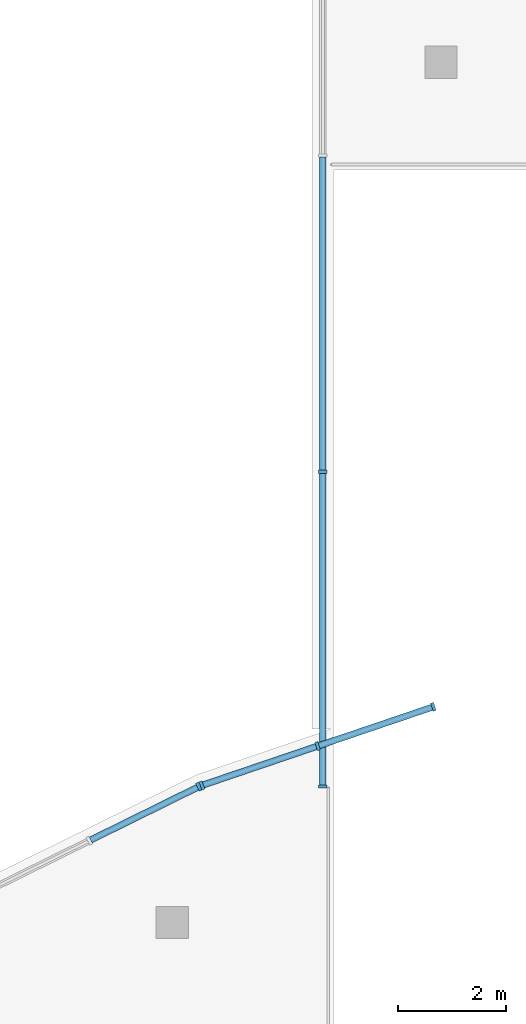
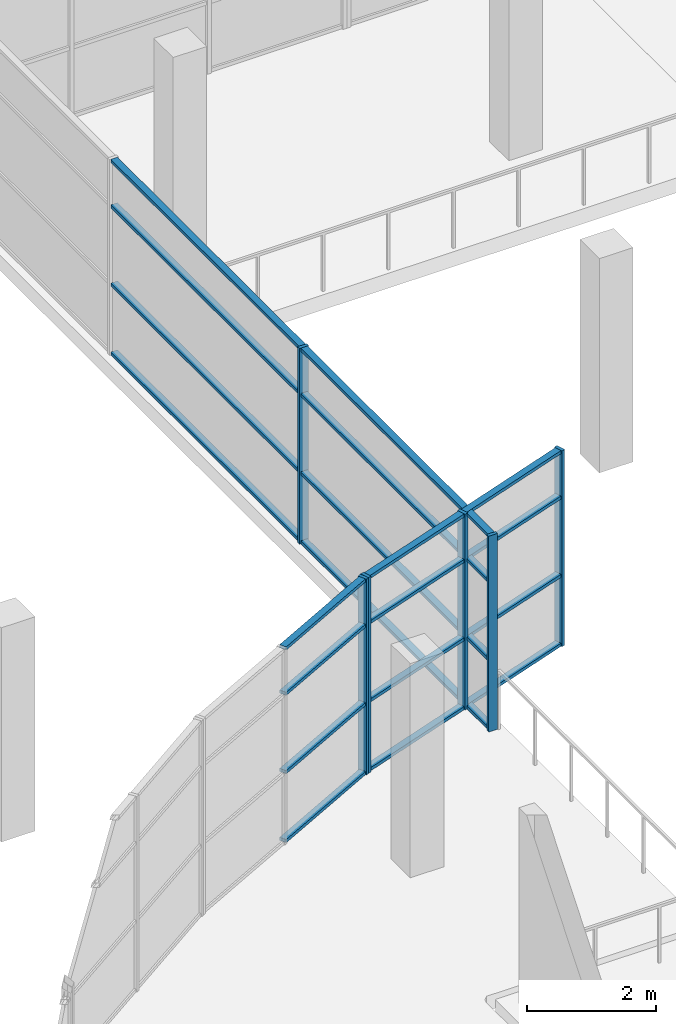
# One storey, part 32 of 87: 26 members, 3 elements without a shape of their own.
"""IFC4 building model written with IfcOpenShell, lengths in metres."""

from ifc_helpers import new_model, si_unit, direction, frame, origin, origin_2d, place, context, subcontext, project, spatial, rectangle, extrude, material, material_profile, profile_set, type_object, element, aggregate, save


model = new_model("IFC4")

# Units and contexts
model_context = context("Model", 3, precision=1e-05, world=origin(), true_north=direction((0.0, 1.0)))
body_context = subcontext(model_context, "Body", "Model", "MODEL_VIEW")
ifc_project = project(units=[si_unit("LENGTHUNIT", "METRE"), si_unit("AREAUNIT", "SQUARE_METRE"), si_unit("VOLUMEUNIT", "CUBIC_METRE"), si_unit("PLANEANGLEUNIT", "RADIAN"), si_unit("MASSUNIT", "GRAM", prefix="KILO")], contexts=[model_context])

# Site, building, storey
site_placement = place(None, origin())
site = spatial("IfcSite", under=ifc_project, at=site_placement, CompositionType="ELEMENT")
building_placement = place(site_placement, origin())
building = spatial("IfcBuilding", under=site, at=building_placement, Name="Saryqyr Civic Hall", CompositionType="ELEMENT")
storey_placement = place(building_placement, frame((0.0, 0.0, 5.10009765625)))
storey = spatial("IfcBuildingStorey", under=building, at=storey_placement, Name="L01", CompositionType="ELEMENT", Elevation=5.10009765625)

# Curtain wall, members
ifc_material_1 = material(Name="Anodised aluminium and triple low-E glass", Category="aluminium")
curtain_wall_type_1 = type_object("IfcCurtainWallType", Name="ENV-CW-STD-72", PredefinedType="NOTDEFINED", material=ifc_material_1)
curtain_wall_1_placement = place(storey_placement, origin())
curtain_wall_1 = element("IfcCurtainWall", 1, at=curtain_wall_1_placement, inside=storey, type_object=curtain_wall_type_1, Name="Curtain wall V2-VESTFLK-NW-L01", PredefinedType="NOTDEFINED")
ifc_material_2 = material(Name="Anodised aluminium", Category="aluminium")
ifc_material_profile_1 = material_profile(ifc_material_2, rectangle(XDim=0.06005859375, YDim=0.159912109375, at=origin_2d()), Name="ALU MULLION 60x160")
ifc_profile_set_1 = profile_set([ifc_material_profile_1], Name="Anodised aluminium")
member_type_1 = type_object("IfcMemberType", Name="ENV-CW-MUL-180", PredefinedType="MULLION", material=ifc_profile_set_1)
member_1_placement = place(storey_placement, frame((45.800048828125, 116.530029296875, 0.0), z_axis=(0.0, 0.0, 1.0), x_axis=(0.0, 1.0, 0.0)))
member_1 = element("IfcMember", 2, at=member_1_placement, type_object=member_type_1, Name="CW-72 mullion 1", PredefinedType="MULLION", context=body_context, shape_type="SweptSolid", body=[
    extrude(rectangle(XDim=0.06005859375, YDim=0.159912109375, at=origin_2d()), origin(), (0.0, 0.0, 1.0), 3.699951171875),
])
member_2_placement = place(storey_placement, frame((45.800048828125, 122.38330078125, 0.0), z_axis=(0.0, 0.0, 1.0), x_axis=(0.0, 1.0, 0.0)))
member_2 = element("IfcMember", 3, at=member_2_placement, type_object=member_type_1, Name="CW-72 mullion 2", PredefinedType="MULLION", context=body_context, shape_type="SweptSolid", body=[
    extrude(rectangle(XDim=0.06005859375, YDim=0.159912109375, at=origin_2d()), origin(), (0.0, 0.0, 1.0), 3.699951171875),
])

curtain_wall_type_2 = type_object("IfcCurtainWallType", Name="ENV-CW-STD-74", PredefinedType="NOTDEFINED", material=ifc_material_1)
curtain_wall_2_placement = place(storey_placement, origin())
curtain_wall_2 = element("IfcCurtainWall", 4, at=curtain_wall_2_placement, inside=storey, type_object=curtain_wall_type_2, Name="Curtain wall V2-PERIM-CW-L01-14", PredefinedType="NOTDEFINED")
member_3_placement = place(storey_placement, frame((43.55029296875, 116.548583984375, 0.0), z_axis=(0.0, 0.0, 1.0), x_axis=(0.946928094828, 0.321445459178, 0.0)))
member_3 = element("IfcMember", 5, at=member_3_placement, type_object=member_type_1, Name="CW-74 mullion 1", PredefinedType="MULLION", context=body_context, shape_type="SweptSolid", body=[
    extrude(rectangle(XDim=0.06005859375, YDim=0.159912109375, at=origin_2d()), origin(), (0.0, 0.0, 1.0), 3.699951171875),
])
member_4_placement = place(storey_placement, frame((45.703125, 117.279541015625, 0.0), z_axis=(0.0, 0.0, 1.0), x_axis=(0.946928094828, 0.321445459178, 0.0)))
member_4 = element("IfcMember", 6, at=member_4_placement, type_object=member_type_1, Name="CW-74 mullion 2", PredefinedType="MULLION", context=body_context, shape_type="SweptSolid", body=[
    extrude(rectangle(XDim=0.06005859375, YDim=0.159912109375, at=origin_2d()), origin(), (0.0, 0.0, 1.0), 3.699951171875),
])
member_5_placement = place(storey_placement, frame((47.85595703125, 118.01025390625, 0.0), z_axis=(0.0, 0.0, 1.0), x_axis=(0.946928094828, 0.321445459178, 0.0)))
member_5 = element("IfcMember", 7, at=member_5_placement, type_object=member_type_1, Name="CW-74 mullion 3", PredefinedType="MULLION", context=body_context, shape_type="SweptSolid", body=[
    extrude(rectangle(XDim=0.06005859375, YDim=0.159912109375, at=origin_2d()), origin(), (0.0, 0.0, 1.0), 3.699951171875),
])

# Curtain wall, member
curtain_wall_3_placement = place(storey_placement, origin())
curtain_wall_3 = element("IfcCurtainWall", 8, at=curtain_wall_3_placement, inside=storey, type_object=curtain_wall_type_2, Name="Curtain wall V2-PERIM-CW-L01-15", PredefinedType="NOTDEFINED")
member_6_placement = place(storey_placement, frame((43.494873046875, 116.525634765625, 0.0), z_axis=(0.0, 0.0, 1.0), x_axis=(0.896875116746, 0.442283873729, 0.0)))
member_6 = element("IfcMember", 9, at=member_6_placement, type_object=member_type_1, Name="CW-74 mullion 3", PredefinedType="MULLION", context=body_context, shape_type="SweptSolid", body=[
    extrude(rectangle(XDim=0.06005859375, YDim=0.159912109375, at=origin_2d()), origin(), (0.0, 0.0, 1.0), 3.699951171875),
])

# Member
ifc_material_profile_2 = material_profile(ifc_material_2, rectangle(XDim=0.1201171875, YDim=0.06005859375, at=origin_2d()), Name="ALU TRANSOM 120x60")
ifc_profile_set_2 = profile_set([ifc_material_profile_2], Name="Anodised aluminium")
member_type_2 = type_object("IfcMemberType", Name="ENV-CW-TRN-150", PredefinedType="USERDEFINED", material=ifc_profile_set_2)
member_7_placement = place(storey_placement, frame((45.800048828125, 116.56005859375, 0.02978515625), z_axis=(0.0, 1.0, 0.0), x_axis=(-1.0, 0.0, 0.0)))
member_7 = element("IfcMember", 10, at=member_7_placement, type_object=member_type_2, Name="CW-72 transom 1.1", ObjectType="TRANSOM", PredefinedType="USERDEFINED", context=body_context, shape_type="SweptSolid", body=[
    extrude(rectangle(XDim=0.1201171875, YDim=0.06005859375, at=origin_2d()), origin(), (0.0, 0.0, 1.0), 5.793212890625),
])

member_8_placement = place(storey_placement, frame((45.800048828125, 116.56005859375, 1.331787109375), z_axis=(0.0, 1.0, 0.0), x_axis=(-1.0, 0.0, 0.0)))
member_8 = element("IfcMember", 11, at=member_8_placement, type_object=member_type_2, Name="CW-72 transom 1.2", ObjectType="TRANSOM", PredefinedType="USERDEFINED", context=body_context, shape_type="SweptSolid", body=[
    extrude(rectangle(XDim=0.1201171875, YDim=0.06005859375, at=origin_2d()), origin(), (0.0, 0.0, 1.0), 5.793212890625),
])

member_9_placement = place(storey_placement, frame((45.800048828125, 116.56005859375, 2.81201171875), z_axis=(0.0, 1.0, 0.0), x_axis=(-1.0, 0.0, 0.0)))
member_9 = element("IfcMember", 12, at=member_9_placement, type_object=member_type_2, Name="CW-72 transom 1.3", ObjectType="TRANSOM", PredefinedType="USERDEFINED", context=body_context, shape_type="SweptSolid", body=[
    extrude(rectangle(XDim=0.1201171875, YDim=0.06005859375, at=origin_2d()), origin(), (0.0, 0.0, 1.0), 5.793212890625),
])

member_10_placement = place(storey_placement, frame((45.800048828125, 116.56005859375, 3.669921875), z_axis=(0.0, 1.0, 0.0), x_axis=(-1.0, 0.0, 0.0)))
member_10 = element("IfcMember", 13, at=member_10_placement, type_object=member_type_2, Name="CW-72 transom 1.4", ObjectType="TRANSOM", PredefinedType="USERDEFINED", context=body_context, shape_type="SweptSolid", body=[
    extrude(rectangle(XDim=0.1201171875, YDim=0.06005859375, at=origin_2d()), origin(), (0.0, 0.0, 1.0), 5.793212890625),
])

member_11_placement = place(storey_placement, frame((45.800048828125, 122.413330078125, 0.02978515625), z_axis=(0.0, 1.0, 0.0), x_axis=(-1.0, 0.0, 0.0)))
member_11 = element("IfcMember", 14, at=member_11_placement, type_object=member_type_2, Name="CW-72 transom 2.1", ObjectType="TRANSOM", PredefinedType="USERDEFINED", context=body_context, shape_type="SweptSolid", body=[
    extrude(rectangle(XDim=0.1201171875, YDim=0.06005859375, at=origin_2d()), origin(), (0.0, 0.0, 1.0), 5.8232421875),
])

member_12_placement = place(storey_placement, frame((45.800048828125, 122.413330078125, 1.331787109375), z_axis=(0.0, 1.0, 0.0), x_axis=(-1.0, 0.0, 0.0)))
member_12 = element("IfcMember", 15, at=member_12_placement, type_object=member_type_2, Name="CW-72 transom 2.2", ObjectType="TRANSOM", PredefinedType="USERDEFINED", context=body_context, shape_type="SweptSolid", body=[
    extrude(rectangle(XDim=0.1201171875, YDim=0.06005859375, at=origin_2d()), origin(), (0.0, 0.0, 1.0), 5.8232421875),
])

member_13_placement = place(storey_placement, frame((45.800048828125, 122.413330078125, 2.81201171875), z_axis=(0.0, 1.0, 0.0), x_axis=(-1.0, 0.0, 0.0)))
member_13 = element("IfcMember", 16, at=member_13_placement, type_object=member_type_2, Name="CW-72 transom 2.3", ObjectType="TRANSOM", PredefinedType="USERDEFINED", context=body_context, shape_type="SweptSolid", body=[
    extrude(rectangle(XDim=0.1201171875, YDim=0.06005859375, at=origin_2d()), origin(), (0.0, 0.0, 1.0), 5.8232421875),
])

member_14_placement = place(storey_placement, frame((45.800048828125, 122.413330078125, 3.669921875), z_axis=(0.0, 1.0, 0.0), x_axis=(-1.0, 0.0, 0.0)))
member_14 = element("IfcMember", 17, at=member_14_placement, type_object=member_type_2, Name="CW-72 transom 2.4", ObjectType="TRANSOM", PredefinedType="USERDEFINED", context=body_context, shape_type="SweptSolid", body=[
    extrude(rectangle(XDim=0.1201171875, YDim=0.06005859375, at=origin_2d()), origin(), (0.0, 0.0, 1.0), 5.8232421875),
])

aggregate(curtain_wall_1, [member_1, member_2, member_7, member_8, member_9, member_10, member_11, member_12, member_13, member_14])

member_15_placement = place(storey_placement, frame((43.57861328125, 116.558349609375, 0.02978515625), z_axis=(0.946948734697, 0.321384650933, 0.0), x_axis=(-0.321384650933, 0.946948734697, 0.0)))
member_15 = element("IfcMember", 18, at=member_15_placement, type_object=member_type_2, Name="CW-74 transom 1.1", ObjectType="TRANSOM", PredefinedType="USERDEFINED", context=body_context, shape_type="SweptSolid", body=[
    extrude(rectangle(XDim=0.1201171875, YDim=0.06005859375, at=origin_2d()), origin(), (0.0, 0.0, 1.0), 2.213623046875),
])

member_16_placement = place(storey_placement, frame((43.57861328125, 116.558349609375, 1.331787109375), z_axis=(0.946948734697, 0.321384650933, 0.0), x_axis=(-0.321384650933, 0.946948734697, 0.0)))
member_16 = element("IfcMember", 19, at=member_16_placement, type_object=member_type_2, Name="CW-74 transom 1.2", ObjectType="TRANSOM", PredefinedType="USERDEFINED", context=body_context, shape_type="SweptSolid", body=[
    extrude(rectangle(XDim=0.1201171875, YDim=0.06005859375, at=origin_2d()), origin(), (0.0, 0.0, 1.0), 2.213623046875),
])

member_17_placement = place(storey_placement, frame((43.57861328125, 116.558349609375, 2.81201171875), z_axis=(0.946948734697, 0.321384650933, 0.0), x_axis=(-0.321384650933, 0.946948734697, 0.0)))
member_17 = element("IfcMember", 20, at=member_17_placement, type_object=member_type_2, Name="CW-74 transom 1.3", ObjectType="TRANSOM", PredefinedType="USERDEFINED", context=body_context, shape_type="SweptSolid", body=[
    extrude(rectangle(XDim=0.1201171875, YDim=0.06005859375, at=origin_2d()), origin(), (0.0, 0.0, 1.0), 2.213623046875),
])

member_18_placement = place(storey_placement, frame((43.57861328125, 116.558349609375, 3.669921875), z_axis=(0.946948734697, 0.321384650933, 0.0), x_axis=(-0.321384650933, 0.946948734697, 0.0)))
member_18 = element("IfcMember", 21, at=member_18_placement, type_object=member_type_2, Name="CW-74 transom 1.4", ObjectType="TRANSOM", PredefinedType="USERDEFINED", context=body_context, shape_type="SweptSolid", body=[
    extrude(rectangle(XDim=0.1201171875, YDim=0.06005859375, at=origin_2d()), origin(), (0.0, 0.0, 1.0), 2.213623046875),
])

member_19_placement = place(storey_placement, frame((45.7314453125, 117.2890625, 0.02978515625), z_axis=(0.946915165682, 0.321483543904, 0.0), x_axis=(-0.321483543904, 0.946915165682, 0.0)))
member_19 = element("IfcMember", 22, at=member_19_placement, type_object=member_type_2, Name="CW-74 transom 2.1", ObjectType="TRANSOM", PredefinedType="USERDEFINED", context=body_context, shape_type="SweptSolid", body=[
    extrude(rectangle(XDim=0.1201171875, YDim=0.06005859375, at=origin_2d()), origin(), (0.0, 0.0, 1.0), 2.213623046875),
])

member_20_placement = place(storey_placement, frame((45.7314453125, 117.2890625, 1.331787109375), z_axis=(0.946915165682, 0.321483543904, 0.0), x_axis=(-0.321483543904, 0.946915165682, 0.0)))
member_20 = element("IfcMember", 23, at=member_20_placement, type_object=member_type_2, Name="CW-74 transom 2.2", ObjectType="TRANSOM", PredefinedType="USERDEFINED", context=body_context, shape_type="SweptSolid", body=[
    extrude(rectangle(XDim=0.1201171875, YDim=0.06005859375, at=origin_2d()), origin(), (0.0, 0.0, 1.0), 2.213623046875),
])

member_21_placement = place(storey_placement, frame((45.7314453125, 117.2890625, 2.81201171875), z_axis=(0.946915165682, 0.321483543904, 0.0), x_axis=(-0.321483543904, 0.946915165682, 0.0)))
member_21 = element("IfcMember", 24, at=member_21_placement, type_object=member_type_2, Name="CW-74 transom 2.3", ObjectType="TRANSOM", PredefinedType="USERDEFINED", context=body_context, shape_type="SweptSolid", body=[
    extrude(rectangle(XDim=0.1201171875, YDim=0.06005859375, at=origin_2d()), origin(), (0.0, 0.0, 1.0), 2.213623046875),
])

member_22_placement = place(storey_placement, frame((45.7314453125, 117.2890625, 3.669921875), z_axis=(0.946915165682, 0.321483543904, 0.0), x_axis=(-0.321483543904, 0.946915165682, 0.0)))
member_22 = element("IfcMember", 25, at=member_22_placement, type_object=member_type_2, Name="CW-74 transom 2.4", ObjectType="TRANSOM", PredefinedType="USERDEFINED", context=body_context, shape_type="SweptSolid", body=[
    extrude(rectangle(XDim=0.1201171875, YDim=0.06005859375, at=origin_2d()), origin(), (0.0, 0.0, 1.0), 2.213623046875),
])

aggregate(curtain_wall_2, [member_3, member_4, member_5, member_15, member_16, member_17, member_18, member_19, member_20, member_21, member_22])

member_23_placement = place(storey_placement, frame((41.48291015625, 115.533447265625, 0.02978515625), z_axis=(0.896862479168, 0.442309499627, 0.0), x_axis=(-0.442309499627, 0.896862479168, 0.0)))
member_23 = element("IfcMember", 26, at=member_23_placement, type_object=member_type_2, Name="CW-74 transom 2.1", ObjectType="TRANSOM", PredefinedType="USERDEFINED", context=body_context, shape_type="SweptSolid", body=[
    extrude(rectangle(XDim=0.1201171875, YDim=0.06005859375, at=origin_2d()), origin(), (0.0, 0.0, 1.0), 2.21337890625),
])

member_24_placement = place(storey_placement, frame((41.48291015625, 115.533447265625, 1.331787109375), z_axis=(0.896862479168, 0.442309499627, 0.0), x_axis=(-0.442309499627, 0.896862479168, 0.0)))
member_24 = element("IfcMember", 27, at=member_24_placement, type_object=member_type_2, Name="CW-74 transom 2.2", ObjectType="TRANSOM", PredefinedType="USERDEFINED", context=body_context, shape_type="SweptSolid", body=[
    extrude(rectangle(XDim=0.1201171875, YDim=0.06005859375, at=origin_2d()), origin(), (0.0, 0.0, 1.0), 2.21337890625),
])

member_25_placement = place(storey_placement, frame((41.48291015625, 115.533447265625, 2.81201171875), z_axis=(0.896862479168, 0.442309499627, 0.0), x_axis=(-0.442309499627, 0.896862479168, 0.0)))
member_25 = element("IfcMember", 28, at=member_25_placement, type_object=member_type_2, Name="CW-74 transom 2.3", ObjectType="TRANSOM", PredefinedType="USERDEFINED", context=body_context, shape_type="SweptSolid", body=[
    extrude(rectangle(XDim=0.1201171875, YDim=0.06005859375, at=origin_2d()), origin(), (0.0, 0.0, 1.0), 2.21337890625),
])

member_26_placement = place(storey_placement, frame((41.48291015625, 115.533447265625, 3.669921875), z_axis=(0.896862479168, 0.442309499627, 0.0), x_axis=(-0.442309499627, 0.896862479168, 0.0)))
member_26 = element("IfcMember", 29, at=member_26_placement, type_object=member_type_2, Name="CW-74 transom 2.4", ObjectType="TRANSOM", PredefinedType="USERDEFINED", context=body_context, shape_type="SweptSolid", body=[
    extrude(rectangle(XDim=0.1201171875, YDim=0.06005859375, at=origin_2d()), origin(), (0.0, 0.0, 1.0), 2.21337890625),
])

aggregate(curtain_wall_3, [member_6, member_23, member_24, member_25, member_26])

save(model, "model.ifc")
